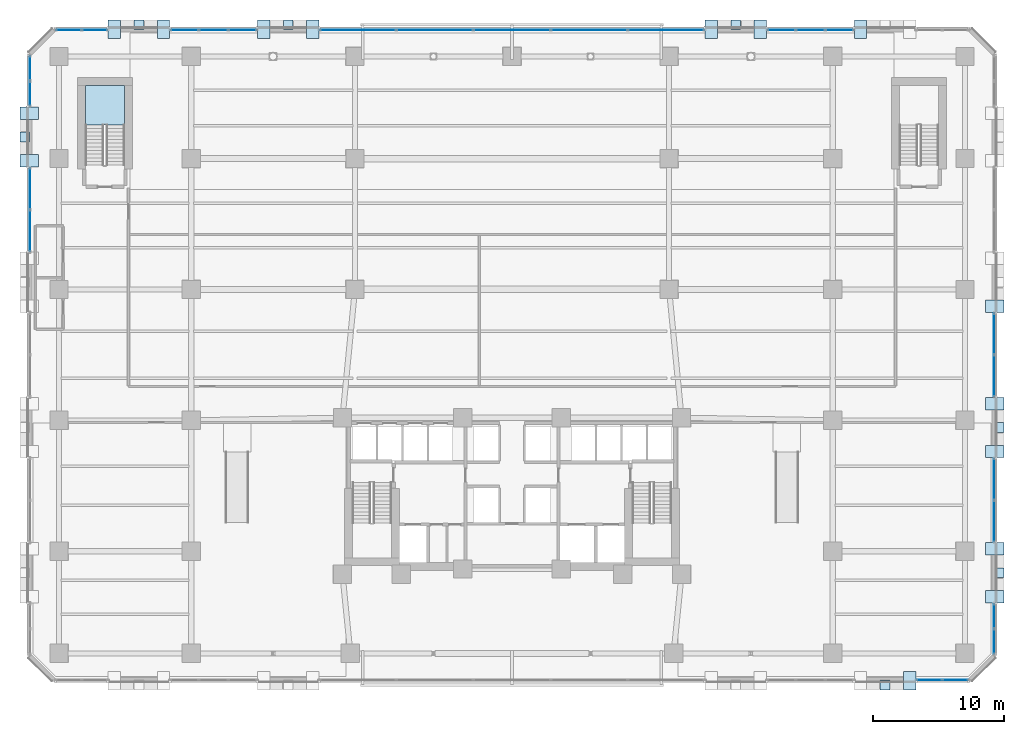
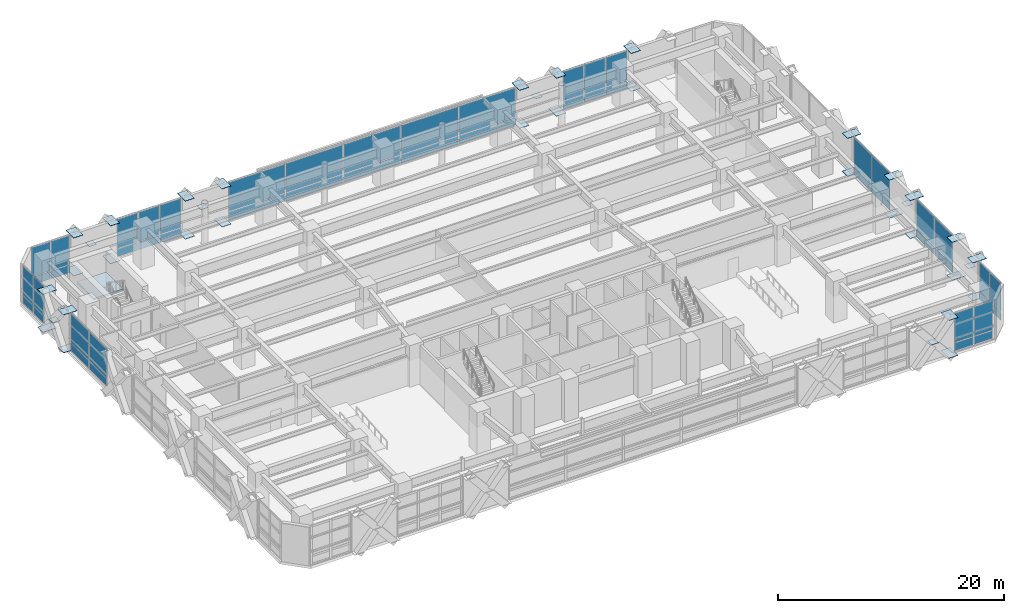
# One storey, part 15 of 30: 87 plates, 1 slab, 11 elements without a shape of their own.
"""IFC4 building model written with IfcOpenShell, lengths in metres."""

from ifc_helpers import new_model, si_unit, direction, frame, origin, origin_2d, place, context, subcontext, project, spatial, polyline, rectangle, outline, extrude, material, layer, layer_set, type_object, element, aggregate, save


model = new_model("IFC4")

# Units and contexts
model_context = context("Model", 3, precision=1e-05, world=origin(), true_north=direction((0.0, 1.0)))
body_context = subcontext(model_context, "Body", "Model", "MODEL_VIEW")
ifc_project = project(units=[si_unit("LENGTHUNIT", "METRE"), si_unit("AREAUNIT", "SQUARE_METRE"), si_unit("VOLUMEUNIT", "CUBIC_METRE"), si_unit("PLANEANGLEUNIT", "RADIAN"), si_unit("MASSUNIT", "GRAM", prefix="KILO")], contexts=[model_context])

# Site, building, storey
site_placement = place(None, origin())
site = spatial("IfcSite", under=ifc_project, at=site_placement, CompositionType="ELEMENT")
building_placement = place(site_placement, origin())
building = spatial("IfcBuilding", under=site, at=building_placement, Name="Quenlor Broadcast Tower", CompositionType="ELEMENT")
storey_placement = place(building_placement, frame((0.0, 0.0, 9.5)))
storey = spatial("IfcBuildingStorey", under=building, at=storey_placement, Name="L02", CompositionType="ELEMENT", Elevation=9.5)

# Curtain wall, plates
ifc_material_1 = material(Name="Architectural Terracotta and Low-E Glazing", Category="masonry")
curtain_wall_type = type_object("IfcCurtainWallType", Name="Station Concourse and Crown Terracotta Curtain Wall", PredefinedType="NOTDEFINED", material=ifc_material_1)
curtain_wall_1_placement = place(storey_placement, origin())
curtain_wall_1 = element("IfcCurtainWall", 1, at=curtain_wall_1_placement, inside=storey, type_object=curtain_wall_type, Name="L02 Curtain Wall CW6 (L02-S-FULL-G1)", PredefinedType="NOTDEFINED")
ifc_material_2 = material(Name="Double Glazed Low-E Solar Glass", Category="glass")
ifc_layer_1 = layer(ifc_material_2, 0.033935546875)
ifc_layer_set_1 = layer_set([ifc_layer_1], Name="CW6 Double Glazed Vision Panel 34")
plate_type_1 = type_object("IfcPlateType", Name="CW6 Double Glazed Vision Panel 34", PredefinedType="CURTAIN_PANEL", material=ifc_layer_set_1)
plate_1_placement = place(storey_placement, frame((33.866943359375, -24.820068359375, 0.08203125), z_axis=(0.0, 0.0, 1.0), x_axis=(-1.0, 0.0, 0.0)))
plate_1 = element("IfcPlate", 2, at=plate_1_placement, type_object=plate_type_1, Name="CW6 panel 1.1", PredefinedType="CURTAIN_PANEL", context=body_context, shape_type="SweptSolid", body=[
    extrude(rectangle(XDim=1.90234375, YDim=0.033935546875, at=origin_2d()), origin(), (0.0, 0.0, 1.0), 0.826904296875),
])
plate_2_placement = place(storey_placement, frame((33.866943359375, -24.820068359375, 0.990966796875), z_axis=(0.0, 0.0, 1.0), x_axis=(-1.0, 0.0, 0.0)))
plate_2 = element("IfcPlate", 3, at=plate_2_placement, type_object=plate_type_1, Name="CW6 panel 1.2", PredefinedType="CURTAIN_PANEL", context=body_context, shape_type="SweptSolid", body=[
    extrude(rectangle(XDim=1.90234375, YDim=0.033935546875, at=origin_2d()), origin(), (0.0, 0.0, 1.0), 3.126953125),
])
plate_3_placement = place(storey_placement, frame((31.882568359375, -24.820068359375, 0.08203125), z_axis=(0.0, 0.0, 1.0), x_axis=(-1.0, 0.0, 0.0)))
plate_3 = element("IfcPlate", 4, at=plate_3_placement, type_object=plate_type_1, Name="CW6 panel 2.1", PredefinedType="CURTAIN_PANEL", context=body_context, shape_type="SweptSolid", body=[
    extrude(rectangle(XDim=1.90234375, YDim=0.033935546875, at=origin_2d()), origin(), (0.0, 0.0, 1.0), 0.826904296875),
])
plate_4_placement = place(storey_placement, frame((31.882568359375, -24.820068359375, 0.990966796875), z_axis=(0.0, 0.0, 1.0), x_axis=(-1.0, 0.0, 0.0)))
plate_4 = element("IfcPlate", 5, at=plate_4_placement, type_object=plate_type_1, Name="CW6 panel 2.2", PredefinedType="CURTAIN_PANEL", context=body_context, shape_type="SweptSolid", body=[
    extrude(rectangle(XDim=1.90234375, YDim=0.033935546875, at=origin_2d()), origin(), (0.0, 0.0, 1.0), 3.126953125),
])
aggregate(curtain_wall_1, [plate_1, plate_2, plate_3, plate_4])

curtain_wall_2_placement = place(storey_placement, origin())
curtain_wall_2 = element("IfcCurtainWall", 6, at=curtain_wall_2_placement, inside=storey, type_object=curtain_wall_type, Name="L02 Curtain Wall CW6 (L02-N-FULL-G1)", PredefinedType="NOTDEFINED")
plate_5_placement = place(storey_placement, frame((-33.866943359375, 24.820068359375, 0.08203125), z_axis=(0.0, 0.0, 1.0), x_axis=(1.0, 0.0, 0.0)))
plate_5 = element("IfcPlate", 7, at=plate_5_placement, type_object=plate_type_1, Name="CW6 panel 1.1", PredefinedType="CURTAIN_PANEL", context=body_context, shape_type="SweptSolid", body=[
    extrude(rectangle(XDim=1.90234375, YDim=0.033935546875, at=origin_2d()), origin(), (0.0, 0.0, 1.0), 0.826904296875),
])
plate_6_placement = place(storey_placement, frame((-33.866943359375, 24.820068359375, 0.990966796875), z_axis=(0.0, 0.0, 1.0), x_axis=(1.0, 0.0, 0.0)))
plate_6 = element("IfcPlate", 8, at=plate_6_placement, type_object=plate_type_1, Name="CW6 panel 1.2", PredefinedType="CURTAIN_PANEL", context=body_context, shape_type="SweptSolid", body=[
    extrude(rectangle(XDim=1.90234375, YDim=0.033935546875, at=origin_2d()), origin(), (0.0, 0.0, 1.0), 3.126953125),
])
plate_7_placement = place(storey_placement, frame((-31.882568359375, 24.820068359375, 0.08203125), z_axis=(0.0, 0.0, 1.0), x_axis=(1.0, 0.0, 0.0)))
plate_7 = element("IfcPlate", 9, at=plate_7_placement, type_object=plate_type_1, Name="CW6 panel 2.1", PredefinedType="CURTAIN_PANEL", context=body_context, shape_type="SweptSolid", body=[
    extrude(rectangle(XDim=1.90234375, YDim=0.033935546875, at=origin_2d()), origin(), (0.0, 0.0, 1.0), 0.826904296875),
])
plate_8_placement = place(storey_placement, frame((-31.882568359375, 24.820068359375, 0.990966796875), z_axis=(0.0, 0.0, 1.0), x_axis=(1.0, 0.0, 0.0)))
plate_8 = element("IfcPlate", 10, at=plate_8_placement, type_object=plate_type_1, Name="CW6 panel 2.2", PredefinedType="CURTAIN_PANEL", context=body_context, shape_type="SweptSolid", body=[
    extrude(rectangle(XDim=1.90234375, YDim=0.033935546875, at=origin_2d()), origin(), (0.0, 0.0, 1.0), 3.126953125),
])
aggregate(curtain_wall_2, [plate_5, plate_6, plate_7, plate_8])

curtain_wall_3_placement = place(storey_placement, origin())
curtain_wall_3 = element("IfcCurtainWall", 11, at=curtain_wall_3_placement, inside=storey, type_object=curtain_wall_type, Name="L02 Curtain Wall CW6 (L02-N-FULL-G2)", PredefinedType="NOTDEFINED")
plate_9_placement = place(storey_placement, frame((-25.01318359375, 24.820068359375, 0.08203125), z_axis=(0.0, 0.0, 1.0), x_axis=(1.0, 0.0, 0.0)))
plate_9 = element("IfcPlate", 12, at=plate_9_placement, type_object=plate_type_1, Name="CW6 panel 1.1", PredefinedType="CURTAIN_PANEL", context=body_context, shape_type="SweptSolid", body=[
    extrude(rectangle(XDim=2.110595703125, YDim=0.033935546875, at=origin_2d()), origin(), (0.0, 0.0, 1.0), 0.826904296875),
])
plate_10_placement = place(storey_placement, frame((-25.01318359375, 24.820068359375, 0.990966796875), z_axis=(0.0, 0.0, 1.0), x_axis=(1.0, 0.0, 0.0)))
plate_10 = element("IfcPlate", 13, at=plate_10_placement, type_object=plate_type_1, Name="CW6 panel 1.2", PredefinedType="CURTAIN_PANEL", context=body_context, shape_type="SweptSolid", body=[
    extrude(rectangle(XDim=2.110595703125, YDim=0.033935546875, at=origin_2d()), origin(), (0.0, 0.0, 1.0), 3.126953125),
])
plate_11_placement = place(storey_placement, frame((-22.800048828125, 24.820068359375, 0.08203125), z_axis=(0.0, 0.0, 1.0), x_axis=(1.0, 0.0, 0.0)))
plate_11 = element("IfcPlate", 14, at=plate_11_placement, type_object=plate_type_1, Name="CW6 panel 2.1", PredefinedType="CURTAIN_PANEL", context=body_context, shape_type="SweptSolid", body=[
    extrude(rectangle(XDim=2.151611328125, YDim=0.033935546875, at=origin_2d()), origin(), (0.0, 0.0, 1.0), 0.826904296875),
])
plate_12_placement = place(storey_placement, frame((-22.800048828125, 24.820068359375, 0.990966796875), z_axis=(0.0, 0.0, 1.0), x_axis=(1.0, 0.0, 0.0)))
plate_12 = element("IfcPlate", 15, at=plate_12_placement, type_object=plate_type_1, Name="CW6 panel 2.2", PredefinedType="CURTAIN_PANEL", context=body_context, shape_type="SweptSolid", body=[
    extrude(rectangle(XDim=2.151611328125, YDim=0.033935546875, at=origin_2d()), origin(), (0.0, 0.0, 1.0), 3.126953125),
])
plate_13_placement = place(storey_placement, frame((-20.5869140625, 24.820068359375, 0.08203125), z_axis=(0.0, 0.0, 1.0), x_axis=(1.0, 0.0, 0.0)))
plate_13 = element("IfcPlate", 16, at=plate_13_placement, type_object=plate_type_1, Name="CW6 panel 3.1", PredefinedType="CURTAIN_PANEL", context=body_context, shape_type="SweptSolid", body=[
    extrude(rectangle(XDim=2.110595703125, YDim=0.033935546875, at=origin_2d()), origin(), (0.0, 0.0, 1.0), 0.826904296875),
])
plate_14_placement = place(storey_placement, frame((-20.5869140625, 24.820068359375, 0.990966796875), z_axis=(0.0, 0.0, 1.0), x_axis=(1.0, 0.0, 0.0)))
plate_14 = element("IfcPlate", 17, at=plate_14_placement, type_object=plate_type_1, Name="CW6 panel 3.2", PredefinedType="CURTAIN_PANEL", context=body_context, shape_type="SweptSolid", body=[
    extrude(rectangle(XDim=2.110595703125, YDim=0.033935546875, at=origin_2d()), origin(), (0.0, 0.0, 1.0), 3.126953125),
])
aggregate(curtain_wall_3, [plate_9, plate_10, plate_11, plate_12, plate_13, plate_14])

curtain_wall_4_placement = place(storey_placement, origin())
curtain_wall_4 = element("IfcCurtainWall", 18, at=curtain_wall_4_placement, inside=storey, type_object=curtain_wall_type, Name="L02 Curtain Wall CW6 (L02-N-FULL-G3)", PredefinedType="NOTDEFINED")
plate_15_placement = place(storey_placement, frame((-11.77978515625, 24.820068359375, 0.08203125), z_axis=(0.0, 0.0, 1.0), x_axis=(1.0, 0.0, 0.0)))
plate_15 = element("IfcPlate", 19, at=plate_15_placement, type_object=plate_type_1, Name="CW6 panel 1.1", PredefinedType="CURTAIN_PANEL", context=body_context, shape_type="SweptSolid", body=[
    extrude(rectangle(XDim=5.777099609375, YDim=0.033935546875, at=origin_2d()), origin(), (0.0, 0.0, 1.0), 0.826904296875),
])
plate_16_placement = place(storey_placement, frame((-11.77978515625, 24.820068359375, 0.990966796875), z_axis=(0.0, 0.0, 1.0), x_axis=(1.0, 0.0, 0.0)))
plate_16 = element("IfcPlate", 20, at=plate_16_placement, type_object=plate_type_1, Name="CW6 panel 1.2", PredefinedType="CURTAIN_PANEL", context=body_context, shape_type="SweptSolid", body=[
    extrude(rectangle(XDim=5.777099609375, YDim=0.033935546875, at=origin_2d()), origin(), (0.0, 0.0, 1.0), 3.126953125),
])
plate_17_placement = place(storey_placement, frame((-5.900146484375, 24.820068359375, 0.08203125), z_axis=(0.0, 0.0, 1.0), x_axis=(1.0, 0.0, 0.0)))
plate_17 = element("IfcPlate", 21, at=plate_17_placement, type_object=plate_type_1, Name="CW6 panel 2.1", PredefinedType="CURTAIN_PANEL", context=body_context, shape_type="SweptSolid", body=[
    extrude(rectangle(XDim=5.818115234375, YDim=0.033935546875, at=origin_2d()), origin(), (0.0, 0.0, 1.0), 0.826904296875),
])
plate_18_placement = place(storey_placement, frame((-5.900146484375, 24.820068359375, 0.990966796875), z_axis=(0.0, 0.0, 1.0), x_axis=(1.0, 0.0, 0.0)))
plate_18 = element("IfcPlate", 22, at=plate_18_placement, type_object=plate_type_1, Name="CW6 panel 2.2", PredefinedType="CURTAIN_PANEL", context=body_context, shape_type="SweptSolid", body=[
    extrude(rectangle(XDim=5.818115234375, YDim=0.033935546875, at=origin_2d()), origin(), (0.0, 0.0, 1.0), 3.126953125),
])
plate_19_placement = place(storey_placement, frame((0.0, 24.820068359375, 0.08203125), z_axis=(0.0, 0.0, 1.0), x_axis=(1.0, 0.0, 0.0)))
plate_19 = element("IfcPlate", 23, at=plate_19_placement, type_object=plate_type_1, Name="CW6 panel 3.1", PredefinedType="CURTAIN_PANEL", context=body_context, shape_type="SweptSolid", body=[
    extrude(rectangle(XDim=5.818115234375, YDim=0.033935546875, at=origin_2d()), origin(), (0.0, 0.0, 1.0), 0.826904296875),
])
plate_20_placement = place(storey_placement, frame((0.0, 24.820068359375, 0.990966796875), z_axis=(0.0, 0.0, 1.0), x_axis=(1.0, 0.0, 0.0)))
plate_20 = element("IfcPlate", 24, at=plate_20_placement, type_object=plate_type_1, Name="CW6 panel 3.2", PredefinedType="CURTAIN_PANEL", context=body_context, shape_type="SweptSolid", body=[
    extrude(rectangle(XDim=5.818115234375, YDim=0.033935546875, at=origin_2d()), origin(), (0.0, 0.0, 1.0), 3.126953125),
])
plate_21_placement = place(storey_placement, frame((5.900146484375, 24.820068359375, 0.08203125), z_axis=(0.0, 0.0, 1.0), x_axis=(1.0, 0.0, 0.0)))
plate_21 = element("IfcPlate", 25, at=plate_21_placement, type_object=plate_type_1, Name="CW6 panel 4.1", PredefinedType="CURTAIN_PANEL", context=body_context, shape_type="SweptSolid", body=[
    extrude(rectangle(XDim=5.818115234375, YDim=0.033935546875, at=origin_2d()), origin(), (0.0, 0.0, 1.0), 0.826904296875),
])
plate_22_placement = place(storey_placement, frame((5.900146484375, 24.820068359375, 0.990966796875), z_axis=(0.0, 0.0, 1.0), x_axis=(1.0, 0.0, 0.0)))
plate_22 = element("IfcPlate", 26, at=plate_22_placement, type_object=plate_type_1, Name="CW6 panel 4.2", PredefinedType="CURTAIN_PANEL", context=body_context, shape_type="SweptSolid", body=[
    extrude(rectangle(XDim=5.818115234375, YDim=0.033935546875, at=origin_2d()), origin(), (0.0, 0.0, 1.0), 3.126953125),
])
plate_23_placement = place(storey_placement, frame((11.77978515625, 24.820068359375, 0.08203125), z_axis=(0.0, 0.0, 1.0), x_axis=(1.0, 0.0, 0.0)))
plate_23 = element("IfcPlate", 27, at=plate_23_placement, type_object=plate_type_1, Name="CW6 panel 5.1", PredefinedType="CURTAIN_PANEL", context=body_context, shape_type="SweptSolid", body=[
    extrude(rectangle(XDim=5.777099609375, YDim=0.033935546875, at=origin_2d()), origin(), (0.0, 0.0, 1.0), 0.826904296875),
])
plate_24_placement = place(storey_placement, frame((11.77978515625, 24.820068359375, 0.990966796875), z_axis=(0.0, 0.0, 1.0), x_axis=(1.0, 0.0, 0.0)))
plate_24 = element("IfcPlate", 28, at=plate_24_placement, type_object=plate_type_1, Name="CW6 panel 5.2", PredefinedType="CURTAIN_PANEL", context=body_context, shape_type="SweptSolid", body=[
    extrude(rectangle(XDim=5.777099609375, YDim=0.033935546875, at=origin_2d()), origin(), (0.0, 0.0, 1.0), 3.126953125),
])
aggregate(curtain_wall_4, [plate_15, plate_16, plate_17, plate_18, plate_19, plate_20, plate_21, plate_22, plate_23, plate_24])

curtain_wall_5_placement = place(storey_placement, origin())
curtain_wall_5 = element("IfcCurtainWall", 29, at=curtain_wall_5_placement, inside=storey, type_object=curtain_wall_type, Name="L02 Curtain Wall CW6 (L02-N-FULL-G4)", PredefinedType="NOTDEFINED")
plate_25_placement = place(storey_placement, frame((20.5869140625, 24.820068359375, 0.08203125), z_axis=(0.0, 0.0, 1.0), x_axis=(1.0, 0.0, 0.0)))
plate_25 = element("IfcPlate", 30, at=plate_25_placement, type_object=plate_type_1, Name="CW6 panel 1.1", PredefinedType="CURTAIN_PANEL", context=body_context, shape_type="SweptSolid", body=[
    extrude(rectangle(XDim=2.110595703125, YDim=0.033935546875, at=origin_2d()), origin(), (0.0, 0.0, 1.0), 0.826904296875),
])
plate_26_placement = place(storey_placement, frame((20.5869140625, 24.820068359375, 0.990966796875), z_axis=(0.0, 0.0, 1.0), x_axis=(1.0, 0.0, 0.0)))
plate_26 = element("IfcPlate", 31, at=plate_26_placement, type_object=plate_type_1, Name="CW6 panel 1.2", PredefinedType="CURTAIN_PANEL", context=body_context, shape_type="SweptSolid", body=[
    extrude(rectangle(XDim=2.110595703125, YDim=0.033935546875, at=origin_2d()), origin(), (0.0, 0.0, 1.0), 3.126953125),
])
plate_27_placement = place(storey_placement, frame((22.800048828125, 24.820068359375, 0.08203125), z_axis=(0.0, 0.0, 1.0), x_axis=(1.0, 0.0, 0.0)))
plate_27 = element("IfcPlate", 32, at=plate_27_placement, type_object=plate_type_1, Name="CW6 panel 2.1", PredefinedType="CURTAIN_PANEL", context=body_context, shape_type="SweptSolid", body=[
    extrude(rectangle(XDim=2.151611328125, YDim=0.033935546875, at=origin_2d()), origin(), (0.0, 0.0, 1.0), 0.826904296875),
])
plate_28_placement = place(storey_placement, frame((22.800048828125, 24.820068359375, 0.990966796875), z_axis=(0.0, 0.0, 1.0), x_axis=(1.0, 0.0, 0.0)))
plate_28 = element("IfcPlate", 33, at=plate_28_placement, type_object=plate_type_1, Name="CW6 panel 2.2", PredefinedType="CURTAIN_PANEL", context=body_context, shape_type="SweptSolid", body=[
    extrude(rectangle(XDim=2.151611328125, YDim=0.033935546875, at=origin_2d()), origin(), (0.0, 0.0, 1.0), 3.126953125),
])
plate_29_placement = place(storey_placement, frame((25.01318359375, 24.820068359375, 0.08203125), z_axis=(0.0, 0.0, 1.0), x_axis=(1.0, 0.0, 0.0)))
plate_29 = element("IfcPlate", 34, at=plate_29_placement, type_object=plate_type_1, Name="CW6 panel 3.1", PredefinedType="CURTAIN_PANEL", context=body_context, shape_type="SweptSolid", body=[
    extrude(rectangle(XDim=2.110595703125, YDim=0.033935546875, at=origin_2d()), origin(), (0.0, 0.0, 1.0), 0.826904296875),
])
plate_30_placement = place(storey_placement, frame((25.01318359375, 24.820068359375, 0.990966796875), z_axis=(0.0, 0.0, 1.0), x_axis=(1.0, 0.0, 0.0)))
plate_30 = element("IfcPlate", 35, at=plate_30_placement, type_object=plate_type_1, Name="CW6 panel 3.2", PredefinedType="CURTAIN_PANEL", context=body_context, shape_type="SweptSolid", body=[
    extrude(rectangle(XDim=2.110595703125, YDim=0.033935546875, at=origin_2d()), origin(), (0.0, 0.0, 1.0), 3.126953125),
])
aggregate(curtain_wall_5, [plate_25, plate_26, plate_27, plate_28, plate_29, plate_30])

curtain_wall_6_placement = place(storey_placement, origin())
curtain_wall_6 = element("IfcCurtainWall", 36, at=curtain_wall_6_placement, inside=storey, type_object=curtain_wall_type, Name="L02 Curtain Wall CW6 (L02-W-FULL-G4)", PredefinedType="NOTDEFINED")
plate_31_placement = place(storey_placement, frame((-36.820068359375, 9.496826171875, 0.08203125), z_axis=(0.0, 0.0, 1.0), x_axis=(0.0, 1.0, 0.0)))
plate_31 = element("IfcPlate", 37, at=plate_31_placement, type_object=plate_type_1, Name="CW6 panel 1.1", PredefinedType="CURTAIN_PANEL", context=body_context, shape_type="SweptSolid", body=[
    extrude(rectangle(XDim=3.124267578125, YDim=0.033935546875, at=origin_2d()), origin(), (0.0, 0.0, 1.0), 0.826904296875),
])
plate_32_placement = place(storey_placement, frame((-36.820068359375, 9.496826171875, 0.990966796875), z_axis=(0.0, 0.0, 1.0), x_axis=(0.0, 1.0, 0.0)))
plate_32 = element("IfcPlate", 38, at=plate_32_placement, type_object=plate_type_1, Name="CW6 panel 1.2", PredefinedType="CURTAIN_PANEL", context=body_context, shape_type="SweptSolid", body=[
    extrude(rectangle(XDim=3.124267578125, YDim=0.033935546875, at=origin_2d()), origin(), (0.0, 0.0, 1.0), 3.126953125),
])
plate_33_placement = place(storey_placement, frame((-36.820068359375, 12.703125, 0.08203125), z_axis=(0.0, 0.0, 1.0), x_axis=(0.0, 1.0, 0.0)))
plate_33 = element("IfcPlate", 39, at=plate_33_placement, type_object=plate_type_1, Name="CW6 panel 2.1", PredefinedType="CURTAIN_PANEL", context=body_context, shape_type="SweptSolid", body=[
    extrude(rectangle(XDim=3.124267578125, YDim=0.033935546875, at=origin_2d()), origin(), (0.0, 0.0, 1.0), 0.826904296875),
])
plate_34_placement = place(storey_placement, frame((-36.820068359375, 12.703125, 0.990966796875), z_axis=(0.0, 0.0, 1.0), x_axis=(0.0, 1.0, 0.0)))
plate_34 = element("IfcPlate", 40, at=plate_34_placement, type_object=plate_type_1, Name="CW6 panel 2.2", PredefinedType="CURTAIN_PANEL", context=body_context, shape_type="SweptSolid", body=[
    extrude(rectangle(XDim=3.124267578125, YDim=0.033935546875, at=origin_2d()), origin(), (0.0, 0.0, 1.0), 3.126953125),
])
aggregate(curtain_wall_6, [plate_31, plate_32, plate_33, plate_34])

curtain_wall_7_placement = place(storey_placement, origin())
curtain_wall_7 = element("IfcCurtainWall", 41, at=curtain_wall_7_placement, inside=storey, type_object=curtain_wall_type, Name="L02 Curtain Wall CW6 (L02-W-FULL-G5)", PredefinedType="NOTDEFINED")
plate_35_placement = place(storey_placement, frame((-36.820068359375, 19.9599609375, 0.08203125), z_axis=(0.0, 0.0, 1.0), x_axis=(0.0, 1.0, 0.0)))
plate_35 = element("IfcPlate", 42, at=plate_35_placement, type_object=plate_type_1, Name="CW6 panel 1.1", PredefinedType="CURTAIN_PANEL", context=body_context, shape_type="SweptSolid", body=[
    extrude(rectangle(XDim=1.8505859375, YDim=0.033935546875, at=origin_2d()), origin(), (0.0, 0.0, 1.0), 0.826904296875),
])
plate_36_placement = place(storey_placement, frame((-36.820068359375, 19.9599609375, 0.990966796875), z_axis=(0.0, 0.0, 1.0), x_axis=(0.0, 1.0, 0.0)))
plate_36 = element("IfcPlate", 43, at=plate_36_placement, type_object=plate_type_1, Name="CW6 panel 1.2", PredefinedType="CURTAIN_PANEL", context=body_context, shape_type="SweptSolid", body=[
    extrude(rectangle(XDim=1.8505859375, YDim=0.033935546875, at=origin_2d()), origin(), (0.0, 0.0, 1.0), 3.126953125),
])
plate_37_placement = place(storey_placement, frame((-36.820068359375, 21.892578125, 0.08203125), z_axis=(0.0, 0.0, 1.0), x_axis=(0.0, 1.0, 0.0)))
plate_37 = element("IfcPlate", 44, at=plate_37_placement, type_object=plate_type_1, Name="CW6 panel 2.1", PredefinedType="CURTAIN_PANEL", context=body_context, shape_type="SweptSolid", body=[
    extrude(rectangle(XDim=1.8505859375, YDim=0.033935546875, at=origin_2d()), origin(), (0.0, 0.0, 1.0), 0.826904296875),
])
plate_38_placement = place(storey_placement, frame((-36.820068359375, 21.892578125, 0.990966796875), z_axis=(0.0, 0.0, 1.0), x_axis=(0.0, 1.0, 0.0)))
plate_38 = element("IfcPlate", 45, at=plate_38_placement, type_object=plate_type_1, Name="CW6 panel 2.2", PredefinedType="CURTAIN_PANEL", context=body_context, shape_type="SweptSolid", body=[
    extrude(rectangle(XDim=1.8505859375, YDim=0.033935546875, at=origin_2d()), origin(), (0.0, 0.0, 1.0), 3.126953125),
])
aggregate(curtain_wall_7, [plate_35, plate_36, plate_37, plate_38])

curtain_wall_8_placement = place(storey_placement, origin())
curtain_wall_8 = element("IfcCurtainWall", 46, at=curtain_wall_8_placement, inside=storey, type_object=curtain_wall_type, Name="L02 Curtain Wall CW6 (L02-E-FULL-G3)", PredefinedType="NOTDEFINED")
plate_39_placement = place(storey_placement, frame((36.820068359375, 1.603271484375, 0.08203125), z_axis=(0.0, 0.0, 1.0), x_axis=(0.0, -1.0, 0.0)))
plate_39 = element("IfcPlate", 47, at=plate_39_placement, type_object=plate_type_1, Name="CW6 panel 1.1", PredefinedType="CURTAIN_PANEL", context=body_context, shape_type="SweptSolid", body=[
    extrude(rectangle(XDim=3.124267578125, YDim=0.033935546875, at=origin_2d()), origin(), (0.0, 0.0, 1.0), 0.826904296875),
])
plate_40_placement = place(storey_placement, frame((36.820068359375, 1.603271484375, 0.990966796875), z_axis=(0.0, 0.0, 1.0), x_axis=(0.0, -1.0, 0.0)))
plate_40 = element("IfcPlate", 48, at=plate_40_placement, type_object=plate_type_1, Name="CW6 panel 1.2", PredefinedType="CURTAIN_PANEL", context=body_context, shape_type="SweptSolid", body=[
    extrude(rectangle(XDim=3.124267578125, YDim=0.033935546875, at=origin_2d()), origin(), (0.0, 0.0, 1.0), 3.126953125),
])
plate_41_placement = place(storey_placement, frame((36.820068359375, -1.603271484375, 0.08203125), z_axis=(0.0, 0.0, 1.0), x_axis=(0.0, -1.0, 0.0)))
plate_41 = element("IfcPlate", 49, at=plate_41_placement, type_object=plate_type_1, Name="CW6 panel 2.1", PredefinedType="CURTAIN_PANEL", context=body_context, shape_type="SweptSolid", body=[
    extrude(rectangle(XDim=3.124267578125, YDim=0.033935546875, at=origin_2d()), origin(), (0.0, 0.0, 1.0), 0.826904296875),
])
plate_42_placement = place(storey_placement, frame((36.820068359375, -1.603271484375, 0.990966796875), z_axis=(0.0, 0.0, 1.0), x_axis=(0.0, -1.0, 0.0)))
plate_42 = element("IfcPlate", 50, at=plate_42_placement, type_object=plate_type_1, Name="CW6 panel 2.2", PredefinedType="CURTAIN_PANEL", context=body_context, shape_type="SweptSolid", body=[
    extrude(rectangle(XDim=3.124267578125, YDim=0.033935546875, at=origin_2d()), origin(), (0.0, 0.0, 1.0), 3.126953125),
])
aggregate(curtain_wall_8, [plate_39, plate_40, plate_41, plate_42])

curtain_wall_9_placement = place(storey_placement, origin())
curtain_wall_9 = element("IfcCurtainWall", 51, at=curtain_wall_9_placement, inside=storey, type_object=curtain_wall_type, Name="L02 Curtain Wall CW6 (L02-E-FULL-G4)", PredefinedType="NOTDEFINED")
plate_43_placement = place(storey_placement, frame((36.820068359375, -9.496826171875, 0.08203125), z_axis=(0.0, 0.0, 1.0), x_axis=(0.0, -1.0, 0.0)))
plate_43 = element("IfcPlate", 52, at=plate_43_placement, type_object=plate_type_1, Name="CW6 panel 1.1", PredefinedType="CURTAIN_PANEL", context=body_context, shape_type="SweptSolid", body=[
    extrude(rectangle(XDim=3.124267578125, YDim=0.033935546875, at=origin_2d()), origin(), (0.0, 0.0, 1.0), 0.826904296875),
])
plate_44_placement = place(storey_placement, frame((36.820068359375, -9.496826171875, 0.990966796875), z_axis=(0.0, 0.0, 1.0), x_axis=(0.0, -1.0, 0.0)))
plate_44 = element("IfcPlate", 53, at=plate_44_placement, type_object=plate_type_1, Name="CW6 panel 1.2", PredefinedType="CURTAIN_PANEL", context=body_context, shape_type="SweptSolid", body=[
    extrude(rectangle(XDim=3.124267578125, YDim=0.033935546875, at=origin_2d()), origin(), (0.0, 0.0, 1.0), 3.126953125),
])
plate_45_placement = place(storey_placement, frame((36.820068359375, -12.703125, 0.08203125), z_axis=(0.0, 0.0, 1.0), x_axis=(0.0, -1.0, 0.0)))
plate_45 = element("IfcPlate", 54, at=plate_45_placement, type_object=plate_type_1, Name="CW6 panel 2.1", PredefinedType="CURTAIN_PANEL", context=body_context, shape_type="SweptSolid", body=[
    extrude(rectangle(XDim=3.124267578125, YDim=0.033935546875, at=origin_2d()), origin(), (0.0, 0.0, 1.0), 0.826904296875),
])
plate_46_placement = place(storey_placement, frame((36.820068359375, -12.703125, 0.990966796875), z_axis=(0.0, 0.0, 1.0), x_axis=(0.0, -1.0, 0.0)))
plate_46 = element("IfcPlate", 55, at=plate_46_placement, type_object=plate_type_1, Name="CW6 panel 2.2", PredefinedType="CURTAIN_PANEL", context=body_context, shape_type="SweptSolid", body=[
    extrude(rectangle(XDim=3.124267578125, YDim=0.033935546875, at=origin_2d()), origin(), (0.0, 0.0, 1.0), 3.126953125),
])
aggregate(curtain_wall_9, [plate_43, plate_44, plate_45, plate_46])

curtain_wall_10_placement = place(storey_placement, origin())
curtain_wall_10 = element("IfcCurtainWall", 56, at=curtain_wall_10_placement, inside=storey, type_object=curtain_wall_type, Name="L02 Curtain Wall CW6 (L02-E-FULL-G5)", PredefinedType="NOTDEFINED")
plate_47_placement = place(storey_placement, frame((36.820068359375, -19.9599609375, 0.08203125), z_axis=(0.0, 0.0, 1.0), x_axis=(0.0, -1.0, 0.0)))
plate_47 = element("IfcPlate", 57, at=plate_47_placement, type_object=plate_type_1, Name="CW6 panel 1.1", PredefinedType="CURTAIN_PANEL", context=body_context, shape_type="SweptSolid", body=[
    extrude(rectangle(XDim=1.8505859375, YDim=0.033935546875, at=origin_2d()), origin(), (0.0, 0.0, 1.0), 0.826904296875),
])
plate_48_placement = place(storey_placement, frame((36.820068359375, -19.9599609375, 0.990966796875), z_axis=(0.0, 0.0, 1.0), x_axis=(0.0, -1.0, 0.0)))
plate_48 = element("IfcPlate", 58, at=plate_48_placement, type_object=plate_type_1, Name="CW6 panel 1.2", PredefinedType="CURTAIN_PANEL", context=body_context, shape_type="SweptSolid", body=[
    extrude(rectangle(XDim=1.8505859375, YDim=0.033935546875, at=origin_2d()), origin(), (0.0, 0.0, 1.0), 3.126953125),
])
plate_49_placement = place(storey_placement, frame((36.820068359375, -21.892578125, 0.08203125), z_axis=(0.0, 0.0, 1.0), x_axis=(0.0, -1.0, 0.0)))
plate_49 = element("IfcPlate", 59, at=plate_49_placement, type_object=plate_type_1, Name="CW6 panel 2.1", PredefinedType="CURTAIN_PANEL", context=body_context, shape_type="SweptSolid", body=[
    extrude(rectangle(XDim=1.8505859375, YDim=0.033935546875, at=origin_2d()), origin(), (0.0, 0.0, 1.0), 0.826904296875),
])
plate_50_placement = place(storey_placement, frame((36.820068359375, -21.892578125, 0.990966796875), z_axis=(0.0, 0.0, 1.0), x_axis=(0.0, -1.0, 0.0)))
plate_50 = element("IfcPlate", 60, at=plate_50_placement, type_object=plate_type_1, Name="CW6 panel 2.2", PredefinedType="CURTAIN_PANEL", context=body_context, shape_type="SweptSolid", body=[
    extrude(rectangle(XDim=1.8505859375, YDim=0.033935546875, at=origin_2d()), origin(), (0.0, 0.0, 1.0), 3.126953125),
])
aggregate(curtain_wall_10, [plate_47, plate_48, plate_49, plate_50])

# Plates
ifc_material_3 = material(Name="Steel S355", Category="steel")
ifc_layer_2 = layer(ifc_material_3, 0.028076171875)
ifc_layer_set_2 = layer_set([ifc_layer_2], Name="Perimeter Lattice Node Steel S355 Cap Plate 740x740x28")
plate_type_2 = type_object("IfcPlateType", Name="Perimeter Lattice Node Steel S355 Cap Plate 740x740x28", PredefinedType="USERDEFINED", material=ifc_layer_set_2)
for number, where, z_axis, x_axis, name in (
    (61, (28.5, -25.215087890625, 2.11572265625), (0.0, 0.0, 1.0), (-1.0, 0.0, 0.0), "L02 Podium Diamond Crossing Node S-C1"),
    (62, (-28.5, 25.215087890625, 2.11572265625), (0.0, 0.0, 1.0), (1.0, 0.0, 0.0), "L02 Podium Diamond Crossing Node N-C1"),
    (63, (-17.10009765625, 25.215087890625, 2.11572265625), (0.0, 0.0, 1.0), (1.0, 0.0, 0.0), "L02 Podium Diamond Crossing Node N-C2"),
    (64, (17.10009765625, 25.215087890625, 2.11572265625), (0.0, 0.0, 1.0), (1.0, 0.0, 0.0), "L02 Podium Diamond Crossing Node N-C5"),
    (65, (-37.215087890625, 16.64990234375, 2.11572265625), (0.0, 0.0, 1.0), (0.0, 1.0, 0.0), "L02 Podium Diamond Crossing Node W-C4"),
    (66, (37.215087890625, -5.550048828125, 2.11572265625), (0.0, 0.0, 1.0), (0.0, -1.0, 0.0), "L02 Podium Diamond Crossing Node E-C3"),
    (67, (37.215087890625, -16.64990234375, 2.11572265625), (0.0, 0.0, 1.0), (0.0, -1.0, 0.0), "L02 Podium Diamond Crossing Node E-C4"),
):
    element("IfcPlate", number, at=place(storey_placement, frame(where, z_axis=z_axis, x_axis=x_axis)), inside=storey, type_object=plate_type_2, Name=name, ObjectType="CAP PLATE", PredefinedType="USERDEFINED", context=body_context, shape_type="SweptSolid", body=[
        extrude(rectangle(XDim=0.739990234375, YDim=0.739990234375, at=origin_2d()), origin(), (0.0, 0.0, 1.0), 0.028076171875),
    ])

# Stair, slab
ifc_material_4 = material(Name="Precast concrete C40/50", Category="concrete")
stair_type = type_object("IfcStairType", Name="Precast Concrete C40/50 Dogleg Stair H450", PredefinedType="HALF_TURN_STAIR", material=ifc_material_4)
stair_placement = place(storey_placement, origin())
stair = element("IfcStair", 68, at=stair_placement, inside=storey, type_object=stair_type, Name="L02 Station Podium North-West Exit Stair ST-3", PredefinedType="HALF_TURN_STAIR")
ifc_material_5 = material(Name="Precast concrete C40/50", Category="concrete")
ifc_layer_3 = layer(ifc_material_5, 0.199951171875)
ifc_layer_set_3 = layer_set([ifc_layer_3], Name="Precast Concrete C40/50 Stair Landing Slab 200")
slab_type = type_object("IfcSlabType", Name="Precast Concrete C40/50 Stair Landing Slab 200", PredefinedType="LANDING", material=ifc_layer_set_3)
slab_placement = place(storey_placement, frame((0.0, 0.0, 2.050048828125)))
slab = element("IfcSlab", 69, at=slab_placement, type_object=slab_type, Name="ST-3 landing 1", PredefinedType="LANDING", context=body_context, shape_type="SweptSolid", body=[
    extrude(outline(polyline([(-29.60009765625, 17.580078125), (-29.60009765625, 20.60009765625), (-32.60009765625, 20.60009765625), (-32.60009765625, 17.580078125), (-29.60009765625, 17.580078125)])), origin(), (0.0, 0.0, 1.0), 0.199951171875),
])
aggregate(stair, [slab])

# Plates
ifc_material_6 = material(Name="Steel S355", Category="steel")
ifc_layer_4 = layer(ifc_material_6, 0.035888671875)
ifc_layer_set_4 = layer_set([ifc_layer_4], Name="Transfer Truss Steel S355 Gusset Node Plate 1400x950x36")
plate_type_3 = type_object("IfcPlateType", Name="Transfer Truss Steel S355 Gusset Node Plate 1400x950x36", PredefinedType="SHEET", material=ifc_layer_set_4)
for number, where, z_axis, x_axis, name in (
    (70, (30.377197265625, -24.8798828125, 0.0419921875), (0.0, 0.0, 1.0), (0.0, -1.0, 0.0), "L02 Podium Lattice Tie Gusset S-B1"),
    (71, (30.377197265625, -24.8798828125, 4.14208984375), (0.0, 0.0, 1.0), (0.0, -1.0, 0.0), "L02 Podium Lattice Tie Gusset S-T1"),
    (72, (-30.377197265625, 24.8798828125, 0.0419921875), (0.0, 0.0, 1.0), (0.0, 1.0, 0.0), "L02 Podium Lattice Tie Gusset N-B1"),
    (73, (-26.622802734375, 24.8798828125, 4.14208984375), (0.0, 0.0, 1.0), (0.0, 1.0, 0.0), "L02 Podium Lattice Tie Gusset N-T2"),
    (74, (-26.622802734375, 24.8798828125, 0.0419921875), (0.0, 0.0, 1.0), (0.0, 1.0, 0.0), "L02 Podium Lattice Tie Gusset N-B2"),
    (75, (-30.377197265625, 24.8798828125, 4.14208984375), (0.0, 0.0, 1.0), (0.0, 1.0, 0.0), "L02 Podium Lattice Tie Gusset N-T1"),
    (76, (-18.977294921875, 24.8798828125, 0.0419921875), (0.0, 0.0, 1.0), (0.0, 1.0, 0.0), "L02 Podium Lattice Tie Gusset N-B4"),
    (77, (-15.222900390625, 24.8798828125, 4.14208984375), (0.0, 0.0, 1.0), (0.0, 1.0, 0.0), "L02 Podium Lattice Tie Gusset N-T5"),
    (78, (-15.222900390625, 24.8798828125, 0.0419921875), (0.0, 0.0, 1.0), (0.0, 1.0, 0.0), "L02 Podium Lattice Tie Gusset N-B5"),
    (79, (-18.977294921875, 24.8798828125, 4.14208984375), (0.0, 0.0, 1.0), (0.0, 1.0, 0.0), "L02 Podium Lattice Tie Gusset N-T4"),
    (80, (15.222900390625, 24.8798828125, 0.0419921875), (0.0, 0.0, 1.0), (0.0, 1.0, 0.0), "L02 Podium Lattice Tie Gusset N-B13"),
    (81, (18.977294921875, 24.8798828125, 4.14208984375), (0.0, 0.0, 1.0), (0.0, 1.0, 0.0), "L02 Podium Lattice Tie Gusset N-T14"),
    (82, (18.977294921875, 24.8798828125, 0.0419921875), (0.0, 0.0, 1.0), (0.0, 1.0, 0.0), "L02 Podium Lattice Tie Gusset N-B14"),
    (83, (15.222900390625, 24.8798828125, 4.14208984375), (0.0, 0.0, 1.0), (0.0, 1.0, 0.0), "L02 Podium Lattice Tie Gusset N-T13"),
    (84, (26.622802734375, 24.8798828125, 0.0419921875), (0.0, 0.0, 1.0), (0.0, 1.0, 0.0), "L02 Podium Lattice Tie Gusset N-B16"),
    (85, (26.622802734375, 24.8798828125, 4.14208984375), (0.0, 0.0, 1.0), (0.0, 1.0, 0.0), "L02 Podium Lattice Tie Gusset N-T16"),
    (86, (-36.8798828125, 14.822265625, 0.0419921875), (0.0, 0.0, 1.0), (-1.0, 0.0, 0.0), "L02 Podium Lattice Tie Gusset W-B10"),
    (87, (-36.8798828125, 18.477783203125, 4.14208984375), (0.0, 0.0, 1.0), (-1.0, 0.0, 0.0), "L02 Podium Lattice Tie Gusset W-T11"),
    (88, (-36.8798828125, 18.477783203125, 0.0419921875), (0.0, 0.0, 1.0), (-1.0, 0.0, 0.0), "L02 Podium Lattice Tie Gusset W-B11"),
    (89, (-36.8798828125, 14.822265625, 4.14208984375), (0.0, 0.0, 1.0), (-1.0, 0.0, 0.0), "L02 Podium Lattice Tie Gusset W-T10"),
    (90, (36.8798828125, 3.72216796875, 4.14208984375), (0.0, 0.0, 1.0), (1.0, 0.0, 0.0), "L02 Podium Lattice Tie Gusset E-T5"),
    (91, (36.8798828125, 3.72216796875, 0.0419921875), (0.0, 0.0, 1.0), (1.0, 0.0, 0.0), "L02 Podium Lattice Tie Gusset E-B5"),
    (92, (36.8798828125, -3.72216796875, 0.0419921875), (0.0, 0.0, 1.0), (1.0, 0.0, 0.0), "L02 Podium Lattice Tie Gusset E-B7"),
    (93, (36.8798828125, -7.377685546875, 4.14208984375), (0.0, 0.0, 1.0), (1.0, 0.0, 0.0), "L02 Podium Lattice Tie Gusset E-T8"),
    (94, (36.8798828125, -7.377685546875, 0.0419921875), (0.0, 0.0, 1.0), (1.0, 0.0, 0.0), "L02 Podium Lattice Tie Gusset E-B8"),
    (95, (36.8798828125, -3.72216796875, 4.14208984375), (0.0, 0.0, 1.0), (1.0, 0.0, 0.0), "L02 Podium Lattice Tie Gusset E-T7"),
    (96, (36.8798828125, -14.822265625, 0.0419921875), (0.0, 0.0, 1.0), (1.0, 0.0, 0.0), "L02 Podium Lattice Tie Gusset E-B10"),
    (97, (36.8798828125, -18.477783203125, 4.14208984375), (0.0, 0.0, 1.0), (1.0, 0.0, 0.0), "L02 Podium Lattice Tie Gusset E-T11"),
    (98, (36.8798828125, -18.477783203125, 0.0419921875), (0.0, 0.0, 1.0), (1.0, 0.0, 0.0), "L02 Podium Lattice Tie Gusset E-B11"),
    (99, (36.8798828125, -14.822265625, 4.14208984375), (0.0, 0.0, 1.0), (1.0, 0.0, 0.0), "L02 Podium Lattice Tie Gusset E-T10"),
):
    element("IfcPlate", number, at=place(storey_placement, frame(where, z_axis=z_axis, x_axis=x_axis)), inside=storey, type_object=plate_type_3, Name=name, PredefinedType="SHEET", context=body_context, shape_type="SweptSolid", body=[
        extrude(rectangle(XDim=1.39990234375, YDim=0.949951171875, at=origin_2d()), origin(), (0.0, 0.0, 1.0), 0.035888671875),
    ])

save(model, "model.ifc")
